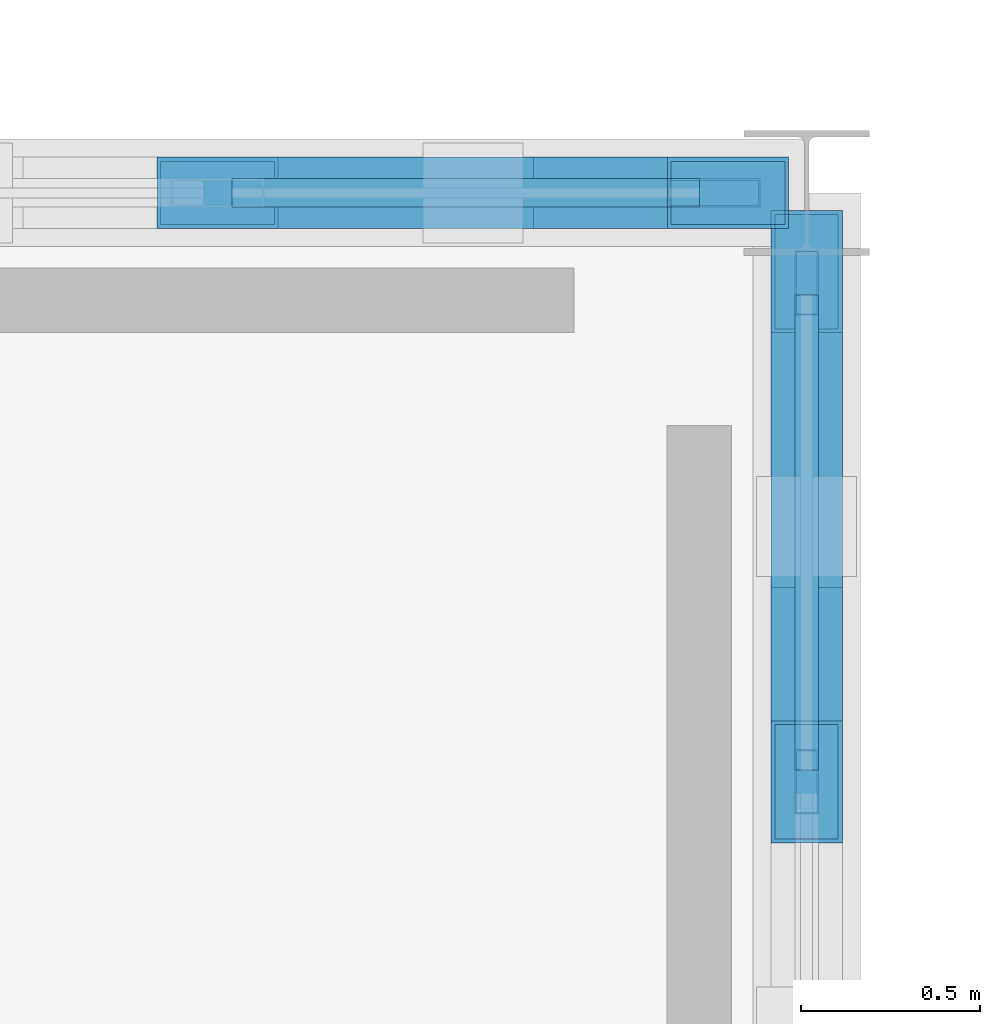
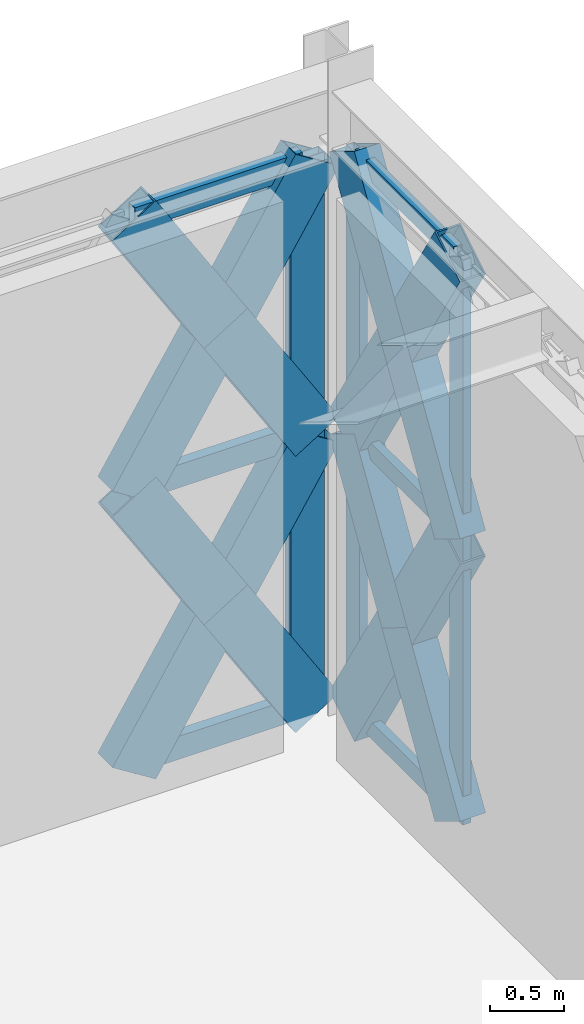
# One storey, part 122 of 166: 21 members, 2 elements without a shape of their own.
"""IFC4 building model written with IfcOpenShell, lengths in metres."""

from ifc_helpers import new_model, si_unit, direction, frame, origin, origin_2d, place, context, subcontext, project, spatial, hollow_rectangle, extrude, material, material_profile, profile_set, type_object, element, aggregate, save


model = new_model("IFC4")

# Units and contexts
model_context = context("Model", 3, precision=1e-05, world=origin(), true_north=direction((0.0, 1.0)))
body_context = subcontext(model_context, "Body", "Model", "MODEL_VIEW")
ifc_project = project(units=[si_unit("LENGTHUNIT", "METRE"), si_unit("AREAUNIT", "SQUARE_METRE"), si_unit("VOLUMEUNIT", "CUBIC_METRE"), si_unit("PLANEANGLEUNIT", "RADIAN"), si_unit("MASSUNIT", "GRAM", prefix="KILO")], contexts=[model_context])

# Site, building, storey
site_placement = place(None, origin())
site = spatial("IfcSite", under=ifc_project, at=site_placement, CompositionType="ELEMENT")
building_placement = place(site_placement, origin())
building = spatial("IfcBuilding", under=site, at=building_placement, Name="Haizhuo Lancet Aquarium", CompositionType="ELEMENT")
storey_placement = place(building_placement, frame((0.0, 0.0, 5.39990234375)))
storey = spatial("IfcBuildingStorey", under=building, at=storey_placement, Name="L01", CompositionType="ELEMENT", Elevation=5.39990234375)

# Curtain wall, members
ifc_material_1 = material(Name="Aluminium 6063-T6", Category="aluminium")
curtain_wall_type_1 = type_object("IfcCurtainWallType", Name="CWD-8560x4650", PredefinedType="NOTDEFINED", material=ifc_material_1)
curtain_wall_1_placement = place(storey_placement, origin())
curtain_wall_1 = element("IfcCurtainWall", 1, at=curtain_wall_1_placement, inside=storey, type_object=curtain_wall_type_1, Name="L01 curtain wall CW-V7-L01-286", PredefinedType="NOTDEFINED")
ifc_material_profile_1 = material_profile(ifc_material_1, hollow_rectangle(XDim=0.06494140625, YDim=0.179931640625, WallThickness=0.00390625, at=origin_2d()), Name="ALU-M 65x180x4")
ifc_profile_set_1 = profile_set([ifc_material_profile_1], Name="Aluminium 6063-T6")
member_type_1 = type_object("IfcMemberType", Name="CW-MUL-1", PredefinedType="MULLION", material=ifc_profile_set_1)
member_1_placement = place(storey_placement, frame((63.0, 35.748046875, 0.0), z_axis=(0.0, 0.0, 1.0), x_axis=(1.0, 0.0, 0.0)))
member_1 = element("IfcMember", 2, at=member_1_placement, type_object=member_type_1, Name="CWD-85x46 mullion 1", PredefinedType="MULLION", context=body_context, shape_type="SweptSolid", body=[
    extrude(hollow_rectangle(XDim=0.06494140625, YDim=0.179931640625, WallThickness=0.00390625, at=origin_2d()), origin(), (0.0, 0.0, 1.0), 4.652099609375),
])
member_2_placement = place(storey_placement, frame((63.0, 34.35302734375, 0.0), z_axis=(0.0, 0.0, 1.0), x_axis=(1.0, 0.0, 0.0)))
member_2 = element("IfcMember", 3, at=member_2_placement, type_object=member_type_1, Name="CWD-85x46 mullion 2", PredefinedType="MULLION", context=body_context, shape_type="SweptSolid", body=[
    extrude(hollow_rectangle(XDim=0.06494140625, YDim=0.179931640625, WallThickness=0.00390625, at=origin_2d()), origin(), (0.0, 0.0, 1.0), 4.652099609375),
])

# Curtain wall, member
curtain_wall_type_2 = type_object("IfcCurtainWallType", Name="CWD-8560x4550", PredefinedType="NOTDEFINED", material=ifc_material_1)
curtain_wall_2_placement = place(storey_placement, origin())
curtain_wall_2 = element("IfcCurtainWall", 4, at=curtain_wall_2_placement, inside=storey, type_object=curtain_wall_type_2, Name="L01 curtain wall CW-V7-L01-285", PredefinedType="NOTDEFINED")
ifc_material_profile_2 = material_profile(ifc_material_1, hollow_rectangle(XDim=0.080078125, YDim=0.260009765625, WallThickness=0.0048828125, at=origin_2d()), Name="ALU-M 80x260x5")
ifc_profile_set_2 = profile_set([ifc_material_profile_2], Name="Aluminium 6063-T6")
member_type_2 = type_object("IfcMemberType", Name="CW-MUL-3", PredefinedType="MULLION", material=ifc_profile_set_2)
member_3_placement = place(storey_placement, frame((62.739990234375, 36.0, 0.0), z_axis=(0.0, 0.0, 1.0), x_axis=(0.0, 1.0, 0.0)))
member_3 = element("IfcMember", 5, at=member_3_placement, type_object=member_type_2, Name="CWD-85x45 mullion 7", PredefinedType="MULLION", context=body_context, shape_type="SweptSolid", body=[
    extrude(hollow_rectangle(XDim=0.080078125, YDim=0.260009765625, WallThickness=0.0048828125, at=origin_2d()), origin(), (0.0, 0.0, 1.0), 4.552001953125),
])

# Member
ifc_material_profile_3 = material_profile(ifc_material_1, hollow_rectangle(XDim=0.06494140625, YDim=0.139892578125, WallThickness=0.00390625, at=origin_2d()), Name="ALU-T 65x140x4")
ifc_profile_set_3 = profile_set([ifc_material_profile_3], Name="Aluminium 6063-T6")
member_type_3 = type_object("IfcMemberType", Name="CW-TRN-1", PredefinedType="NOTDEFINED", material=ifc_profile_set_3)
member_4_placement = place(storey_placement, frame((63.0, 35.715087890625, 0.033203125), z_axis=(0.0, -1.0, 0.0), x_axis=(1.0, 0.0, 0.0)))
member_4 = element("IfcMember", 6, at=member_4_placement, type_object=member_type_3, Name="CWD-85x46 transom 1.1", ObjectType="TRANSOM", PredefinedType="USERDEFINED", context=body_context, shape_type="SweptSolid", body=[
    extrude(hollow_rectangle(XDim=0.06494140625, YDim=0.139892578125, WallThickness=0.00390625, at=origin_2d()), origin(), (0.0, 0.0, 1.0), 1.3291015625),
])

member_5_placement = place(storey_placement, frame((63.0, 35.715087890625, 2.326171875), z_axis=(0.0, -1.0, 0.0), x_axis=(1.0, 0.0, 0.0)))
member_5 = element("IfcMember", 7, at=member_5_placement, type_object=member_type_3, Name="CWD-85x46 transom 1.2", ObjectType="TRANSOM", PredefinedType="USERDEFINED", context=body_context, shape_type="SweptSolid", body=[
    extrude(hollow_rectangle(XDim=0.06494140625, YDim=0.139892578125, WallThickness=0.00390625, at=origin_2d()), origin(), (0.0, 0.0, 1.0), 1.3291015625),
])

member_6_placement = place(storey_placement, frame((63.0, 35.715087890625, 4.619140625), z_axis=(0.0, -1.0, 0.0), x_axis=(1.0, 0.0, 0.0)))
member_6 = element("IfcMember", 8, at=member_6_placement, type_object=member_type_3, Name="CWD-85x46 transom 1.3", ObjectType="TRANSOM", PredefinedType="USERDEFINED", context=body_context, shape_type="SweptSolid", body=[
    extrude(hollow_rectangle(XDim=0.06494140625, YDim=0.139892578125, WallThickness=0.00390625, at=origin_2d()), origin(), (0.0, 0.0, 1.0), 1.3291015625),
])

aggregate(curtain_wall_1, [member_1, member_2, member_4, member_5, member_6])

ifc_material_profile_4 = material_profile(ifc_material_1, hollow_rectangle(XDim=0.080078125, YDim=0.18994140625, WallThickness=0.0048828125, at=origin_2d()), Name="ALU-T 80x190x5")
ifc_profile_set_4 = profile_set([ifc_material_profile_4], Name="Aluminium 6063-T6")
member_type_4 = type_object("IfcMemberType", Name="CW-TRN-3", PredefinedType="NOTDEFINED", material=ifc_profile_set_4)
member_7_placement = place(storey_placement, frame((61.39306640625, 36.0, 0.0400390625), z_axis=(1.0, 0.0, 0.0), x_axis=(0.0, 1.0, 0.0)))
member_7 = element("IfcMember", 9, at=member_7_placement, type_object=member_type_4, Name="CWD-85x45 transom 6.1", ObjectType="TRANSOM", PredefinedType="USERDEFINED", context=body_context, shape_type="SweptSolid", body=[
    extrude(hollow_rectangle(XDim=0.080078125, YDim=0.18994140625, WallThickness=0.0048828125, at=origin_2d()), origin(), (0.0, 0.0, 1.0), 1.306884765625),
])

member_8_placement = place(storey_placement, frame((61.39306640625, 36.0, 2.276123046875), z_axis=(1.0, 0.0, 0.0), x_axis=(0.0, 1.0, 0.0)))
member_8 = element("IfcMember", 10, at=member_8_placement, type_object=member_type_4, Name="CWD-85x45 transom 6.2", ObjectType="TRANSOM", PredefinedType="USERDEFINED", context=body_context, shape_type="SweptSolid", body=[
    extrude(hollow_rectangle(XDim=0.080078125, YDim=0.18994140625, WallThickness=0.0048828125, at=origin_2d()), origin(), (0.0, 0.0, 1.0), 1.306884765625),
])

member_9_placement = place(storey_placement, frame((61.39306640625, 36.0, 4.51220703125), z_axis=(1.0, 0.0, 0.0), x_axis=(0.0, 1.0, 0.0)))
member_9 = element("IfcMember", 11, at=member_9_placement, type_object=member_type_4, Name="CWD-85x45 transom 6.3", ObjectType="TRANSOM", PredefinedType="USERDEFINED", context=body_context, shape_type="SweptSolid", body=[
    extrude(hollow_rectangle(XDim=0.080078125, YDim=0.18994140625, WallThickness=0.0048828125, at=origin_2d()), origin(), (0.0, 0.0, 1.0), 1.306884765625),
])

aggregate(curtain_wall_2, [member_3, member_7, member_8, member_9])

# Members
ifc_material_2 = material(Name="Steel S355", Category="steel")
ifc_material_profile_5 = material_profile(ifc_material_2, hollow_rectangle(XDim=0.199951171875, YDim=0.39990234375, WallThickness=0.011962890625, at=origin_2d()), Name="RHS 200x400x12")
ifc_profile_set_5 = profile_set([ifc_material_profile_5], Name="Steel S355")
member_type_5 = type_object("IfcMemberType", Name="MEM-LB-RHS200x400", PredefinedType="BRACE", material=ifc_profile_set_5)
member_10_placement = place(storey_placement, frame((61.35302734375, 36.0, 0.0), z_axis=(0.531182902496, 0.0, 0.84725717707), x_axis=(0.0, 1.0, 0.0)))
element("IfcMember", 12, at=member_10_placement, inside=storey, type_object=member_type_5, Name="Gothic lancet continuous diagonal brace CW-V7-L01-285 11A", PredefinedType="BRACE", context=body_context, shape_type="SweptSolid", body=[
    extrude(hollow_rectangle(XDim=0.199951171875, YDim=0.39990234375, WallThickness=0.011962890625, at=origin_2d()), origin(), (0.0, 0.0, 1.0), 2.6865234375),
])
member_11_placement = place(storey_placement, frame((62.780029296875, 36.0, 0.0), z_axis=(-0.530946256911, 0.0, 0.847405494597), x_axis=(0.0, -1.0, 0.0)))
element("IfcMember", 13, at=member_11_placement, inside=storey, type_object=member_type_5, Name="Gothic lancet split diagonal brace CW-V7-L01-285 11B1", PredefinedType="BRACE", context=body_context, shape_type="SweptSolid", body=[
    extrude(hollow_rectangle(XDim=0.199951171875, YDim=0.39990234375, WallThickness=0.011962890625, at=origin_2d()), origin(), (0.0, 0.0, 1.0), 1.343017578125),
])
member_12_placement = place(storey_placement, frame((62.06689453125, 36.0, 1.13818359375), z_axis=(-0.531419474561, 0.0, 0.847108813587), x_axis=(0.0, -1.0, 0.0)))
element("IfcMember", 14, at=member_12_placement, inside=storey, type_object=member_type_5, Name="Gothic lancet split diagonal brace CW-V7-L01-285 11B2", PredefinedType="BRACE", context=body_context, shape_type="SweptSolid", body=[
    extrude(hollow_rectangle(XDim=0.199951171875, YDim=0.39990234375, WallThickness=0.011962890625, at=origin_2d()), origin(), (0.0, 0.0, 1.0), 1.34326171875),
])
member_13_placement = place(storey_placement, frame((61.35302734375, 36.0, 2.276123046875), z_axis=(0.531223804613, 0.0, 0.847231532353), x_axis=(0.0, 1.0, 0.0)))
element("IfcMember", 15, at=member_13_placement, inside=storey, type_object=member_type_5, Name="Gothic lancet continuous diagonal brace CW-V7-L01-285 12A", PredefinedType="BRACE", context=body_context, shape_type="SweptSolid", body=[
    extrude(hollow_rectangle(XDim=0.199951171875, YDim=0.39990234375, WallThickness=0.011962890625, at=origin_2d()), origin(), (0.0, 0.0, 1.0), 2.686279296875),
])
member_14_placement = place(storey_placement, frame((62.780029296875, 36.0, 2.276123046875), z_axis=(-0.531028049623, 0.0, 0.847354241456), x_axis=(0.0, -1.0, 0.0)))
element("IfcMember", 16, at=member_14_placement, inside=storey, type_object=member_type_5, Name="Gothic lancet split diagonal brace CW-V7-L01-285 12B1", PredefinedType="BRACE", context=body_context, shape_type="SweptSolid", body=[
    extrude(hollow_rectangle(XDim=0.199951171875, YDim=0.39990234375, WallThickness=0.011962890625, at=origin_2d()), origin(), (0.0, 0.0, 1.0), 1.343017578125),
])
member_15_placement = place(storey_placement, frame((62.06689453125, 36.0, 3.4140625), z_axis=(-0.531419474561, 0.0, 0.847108813587), x_axis=(0.0, -1.0, 0.0)))
element("IfcMember", 17, at=member_15_placement, inside=storey, type_object=member_type_5, Name="Gothic lancet split diagonal brace CW-V7-L01-285 12B2", PredefinedType="BRACE", context=body_context, shape_type="SweptSolid", body=[
    extrude(hollow_rectangle(XDim=0.199951171875, YDim=0.39990234375, WallThickness=0.011962890625, at=origin_2d()), origin(), (0.0, 0.0, 1.0), 1.34326171875),
])
member_16_placement = place(storey_placement, frame((63.0, 35.780029296875, 0.0), z_axis=(0.0, -0.522903960116, 0.85239160513), x_axis=(1.0, 0.0, 0.0)))
element("IfcMember", 18, at=member_16_placement, inside=storey, type_object=member_type_5, Name="Gothic lancet continuous diagonal brace CW-V7-L01-286 1A", PredefinedType="BRACE", context=body_context, shape_type="SweptSolid", body=[
    extrude(hollow_rectangle(XDim=0.199951171875, YDim=0.39990234375, WallThickness=0.011962890625, at=origin_2d()), origin(), (0.0, 0.0, 1.0), 2.72900390625),
])
member_17_placement = place(storey_placement, frame((63.0, 34.35302734375, 0.0), z_axis=(0.0, 0.52309892014, 0.852271975222), x_axis=(-1.0, 0.0, 0.0)))
element("IfcMember", 19, at=member_17_placement, inside=storey, type_object=member_type_5, Name="Gothic lancet split diagonal brace CW-V7-L01-286 1B1", PredefinedType="BRACE", context=body_context, shape_type="SweptSolid", body=[
    extrude(hollow_rectangle(XDim=0.199951171875, YDim=0.39990234375, WallThickness=0.011962890625, at=origin_2d()), origin(), (0.0, 0.0, 1.0), 1.36474609375),
])
member_18_placement = place(storey_placement, frame((63.0, 35.06689453125, 1.1630859375), z_axis=(0.0, 0.522708917992, 0.852511224003), x_axis=(-1.0, 0.0, 0.0)))
element("IfcMember", 20, at=member_18_placement, inside=storey, type_object=member_type_5, Name="Gothic lancet split diagonal brace CW-V7-L01-286 1B2", PredefinedType="BRACE", context=body_context, shape_type="SweptSolid", body=[
    extrude(hollow_rectangle(XDim=0.199951171875, YDim=0.39990234375, WallThickness=0.011962890625, at=origin_2d()), origin(), (0.0, 0.0, 1.0), 1.3642578125),
])
member_19_placement = place(storey_placement, frame((63.0, 35.780029296875, 2.326171875), z_axis=(0.0, -0.522943837384, 0.852367140933), x_axis=(1.0, 0.0, 0.0)))
element("IfcMember", 21, at=member_19_placement, inside=storey, type_object=member_type_5, Name="Gothic lancet continuous diagonal brace CW-V7-L01-286 2A", PredefinedType="BRACE", context=body_context, shape_type="SweptSolid", body=[
    extrude(hollow_rectangle(XDim=0.199951171875, YDim=0.39990234375, WallThickness=0.011962890625, at=origin_2d()), origin(), (0.0, 0.0, 1.0), 2.728759765625),
])
member_20_placement = place(storey_placement, frame((63.0, 34.35302734375, 2.326171875), z_axis=(0.0, 0.523178686952, 0.852223011611), x_axis=(-1.0, 0.0, 0.0)))
element("IfcMember", 22, at=member_20_placement, inside=storey, type_object=member_type_5, Name="Gothic lancet split diagonal brace CW-V7-L01-286 2B1", PredefinedType="BRACE", context=body_context, shape_type="SweptSolid", body=[
    extrude(hollow_rectangle(XDim=0.199951171875, YDim=0.39990234375, WallThickness=0.011962890625, at=origin_2d()), origin(), (0.0, 0.0, 1.0), 1.364501953125),
])
member_21_placement = place(storey_placement, frame((63.0, 35.06689453125, 3.489013671875), z_axis=(0.0, 0.522708917992, 0.852511224003), x_axis=(-1.0, 0.0, 0.0)))
element("IfcMember", 23, at=member_21_placement, inside=storey, type_object=member_type_5, Name="Gothic lancet split diagonal brace CW-V7-L01-286 2B2", PredefinedType="BRACE", context=body_context, shape_type="SweptSolid", body=[
    extrude(hollow_rectangle(XDim=0.199951171875, YDim=0.39990234375, WallThickness=0.011962890625, at=origin_2d()), origin(), (0.0, 0.0, 1.0), 1.3642578125),
])

save(model, "model.ifc")
